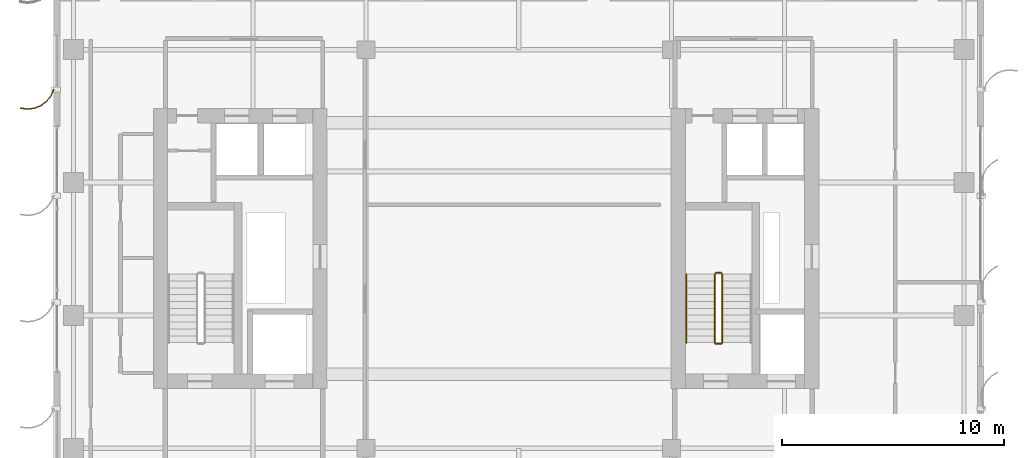
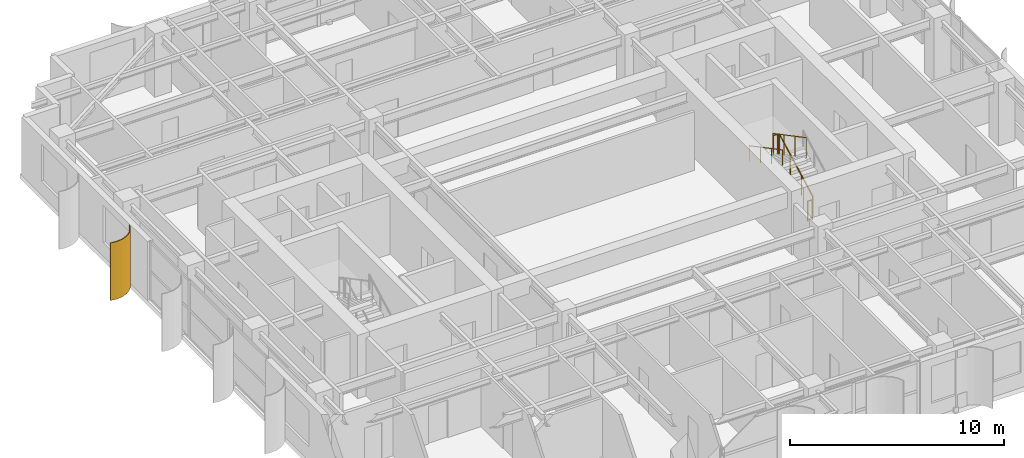
# One storey, part 22 of 23: 5 railings, 1 shading device.
"""IFC4 building model written with IfcOpenShell, lengths in metres."""

from ifc_helpers import new_model, si_unit, direction, frame, origin, origin_2d, place, context, subcontext, project, spatial, polyline, circle, outline, extrude, source, transform, mapped, material, layer, layer_set, type_object, element, save


model = new_model("IFC4")

# Units and contexts
model_context = context("Model", 3, precision=1e-05, world=origin(), true_north=direction((0.0, 1.0)))
body_context = subcontext(model_context, "Body", "Model", "MODEL_VIEW")
ifc_project = project(units=[si_unit("LENGTHUNIT", "METRE"), si_unit("AREAUNIT", "SQUARE_METRE"), si_unit("VOLUMEUNIT", "CUBIC_METRE"), si_unit("PLANEANGLEUNIT", "RADIAN"), si_unit("MASSUNIT", "GRAM", prefix="KILO")], contexts=[model_context])

# Site, building, storey
site_placement = place(None, origin())
site = spatial("IfcSite", under=ifc_project, at=site_placement, CompositionType="ELEMENT")
building_placement = place(site_placement, origin())
building = spatial("IfcBuilding", under=site, at=building_placement, Name="Khoralis Quay Care Tower", CompositionType="ELEMENT")
storey_placement = place(building_placement, frame((0.0, 0.0, 173.699951171875)))
storey = spatial("IfcBuildingStorey", under=building, at=storey_placement, Name="L45", CompositionType="ELEMENT", Elevation=173.699951171875)

# Railings
ifc_material_1 = material(Name="Brushed stainless steel", Category="steel")
railing_type_1 = type_object("IfcRailingType", Name="RL-GUARD-1150", PredefinedType="GUARDRAIL", material=ifc_material_1)
railing_1_placement = place(storey_placement, frame((33.18994140625, 16.77001953125, 0.16357421875)))
element("IfcRailing", 1, at=railing_1_placement, inside=storey, type_object=railing_type_1, Name="L45 ST-T2 stair guard 1", PredefinedType="GUARDRAIL", context=body_context, shape_type="SweptSolid", body=[
    extrude(circle(Radius=0.02392578125, at=origin_2d()), frame((0.0, 0.0, 1.1259765625), z_axis=(0.0, 0.884348015382, 0.466828220752), x_axis=(-1.0, 0.0, 0.0)), (0.0, 0.0, 1.0), 3.505615234375),
    extrude(circle(Radius=0.02099609375, at=origin_2d()), origin(), (0.0, 0.0, 1.0), 1.101806640625),
    extrude(circle(Radius=0.02099609375, at=origin_2d()), frame((0.0, 1.033447265625, 0.54541015625)), (0.0, 0.0, 1.0), 1.101806640625),
    extrude(circle(Radius=0.02099609375, at=origin_2d()), frame((0.0, 2.066650390625, 1.091064453125)), (0.0, 0.0, 1.0), 1.101806640625),
    extrude(circle(Radius=0.02099609375, at=origin_2d()), frame((0.0, 3.10009765625, 1.636474609375)), (0.0, 0.0, 1.0), 1.101806640625),
])
railing_2_placement = place(storey_placement, frame((33.139892578125, 19.919921875, 1.800048828125)))
element("IfcRailing", 2, at=railing_2_placement, inside=storey, type_object=railing_type_1, Name="L45 ST-T2 stair guard 2", PredefinedType="GUARDRAIL", context=body_context, shape_type="SweptSolid", body=[
    extrude(circle(Radius=0.02392578125, at=origin_2d()), frame((0.0, 0.0, 1.1259765625), z_axis=(-1.0, 0.0, 0.0), x_axis=(0.0, -1.0, 0.0)), (0.0, 0.0, 1.0), 0.239990234375),
    extrude(circle(Radius=0.02099609375, at=origin_2d()), origin(), (0.0, 0.0, 1.0), 1.101806640625),
    extrude(circle(Radius=0.02099609375, at=origin_2d()), frame((-0.239990234375, 0.0, 0.0)), (0.0, 0.0, 1.0), 1.101806640625),
])
railing_3_placement = place(storey_placement, frame((32.85009765625, 19.8701171875, 1.963623046875)))
element("IfcRailing", 3, at=railing_3_placement, inside=storey, type_object=railing_type_1, Name="L45 ST-T2 stair guard 3", PredefinedType="GUARDRAIL", context=body_context, shape_type="SweptSolid", body=[
    extrude(circle(Radius=0.02392578125, at=origin_2d()), frame((0.0, 0.0, 1.1259765625), z_axis=(0.0, -0.884348015382, 0.466828220752), x_axis=(1.0, 0.0, 0.0)), (0.0, 0.0, 1.0), 3.505615234375),
    extrude(circle(Radius=0.02099609375, at=origin_2d()), origin(), (0.0, 0.0, 1.0), 1.101806640625),
    extrude(circle(Radius=0.02099609375, at=origin_2d()), frame((0.0, -1.033447265625, 0.54541015625)), (0.0, 0.0, 1.0), 1.101806640625),
    extrude(circle(Radius=0.02099609375, at=origin_2d()), frame((0.0, -2.066650390625, 1.091064453125)), (0.0, 0.0, 1.0), 1.101806640625),
    extrude(circle(Radius=0.02099609375, at=origin_2d()), frame((0.0, -3.10009765625, 1.636474609375)), (0.0, 0.0, 1.0), 1.101806640625),
])
railing_4_placement = place(storey_placement, frame((33.139892578125, 16.719970703125, 0.0)))
element("IfcRailing", 4, at=railing_4_placement, inside=storey, type_object=railing_type_1, Name="L45 ST-T2 stair guard 4", PredefinedType="GUARDRAIL", context=body_context, shape_type="SweptSolid", body=[
    extrude(circle(Radius=0.02392578125, at=origin_2d()), frame((0.0, 0.0, 1.1259765625), z_axis=(-1.0, 0.0, 0.0), x_axis=(0.0, -1.0, 0.0)), (0.0, 0.0, 1.0), 0.239990234375),
    extrude(circle(Radius=0.02099609375, at=origin_2d()), origin(), (0.0, 0.0, 1.0), 1.101806640625),
    extrude(circle(Radius=0.02099609375, at=origin_2d()), frame((-0.239990234375, 0.0, 0.0)), (0.0, 0.0, 1.0), 1.101806640625),
])
railing_type_2 = type_object("IfcRailingType", Name="RL-HAND-900", PredefinedType="HANDRAIL", material=ifc_material_1)
railing_5_placement = place(storey_placement, frame((31.570068359375, 19.8701171875, 1.963623046875)))
element("IfcRailing", 5, at=railing_5_placement, inside=storey, type_object=railing_type_2, Name="L45 ST-T2 stair handrail 2", PredefinedType="HANDRAIL", context=body_context, shape_type="SweptSolid", body=[
    extrude(circle(Radius=0.02392578125, at=origin_2d()), frame((0.0, 0.0, 0.8759765625), z_axis=(0.0, -0.884348015382, 0.466828220752), x_axis=(1.0, 0.0, 0.0)), (0.0, 0.0, 1.0), 3.505615234375),
    extrude(circle(Radius=0.02099609375, at=origin_2d()), origin(), (0.0, 0.0, 1.0), 0.851806640625),
    extrude(circle(Radius=0.02099609375, at=origin_2d()), frame((0.0, -1.033447265625, 0.54541015625)), (0.0, 0.0, 1.0), 0.851806640625),
    extrude(circle(Radius=0.02099609375, at=origin_2d()), frame((0.0, -2.066650390625, 1.091064453125)), (0.0, 0.0, 1.0), 0.851806640625),
    extrude(circle(Radius=0.02099609375, at=origin_2d()), frame((0.0, -3.10009765625, 1.636474609375)), (0.0, 0.0, 1.0), 0.851806640625),
])

# Shading device
ifc_material_2 = material(Name="Brushed pale anodised aluminium", Category="aluminium")
ifc_layer = layer(ifc_material_2, 0.044921875)
ifc_layer_set = layer_set([ifc_layer], Name="Brushed pale anodised aluminium")
shading_device_type = type_object("IfcShadingDeviceType", Name="SHD-FIN-1250", PredefinedType="USERDEFINED", material=ifc_layer_set)
shared_shape = source(origin(), body_context, "Body", "SweptSolid", [
    extrude(outline(polyline([(0.0, 0.0), (0.130126953125, 0.29931640625), (0.333251953125, 0.5546875), (0.595458984375, 0.748779296875), (0.899169921875, 0.868408203125), (1.223388671875, 0.9052734375), (1.546142578125, 0.85693359375), (1.53369140625, 0.813720703125), (1.22265625, 0.8603515625), (0.91015625, 0.82470703125), (0.617431640625, 0.70947265625), (0.364501953125, 0.522216796875), (0.168701171875, 0.276123046875), (0.043212890625, -0.012451171875), (0.0, 0.0)])), origin(), (0.0, 0.0, 1.0), 3.280029296875),
])
shading_device_placement = place(storey_placement, frame((3.030029296875, 28.199951171875, 0.02001953125), z_axis=(0.0, 0.0, 1.0), x_axis=(-1.0, 0.0, 0.0)))
element("IfcShadingDevice", 6, at=shading_device_placement, inside=storey, type_object=shading_device_type, Name="L45 Curved Solar Fin P1E15-02", ObjectType="FIN", PredefinedType="USERDEFINED", context=body_context, shape_type="MappedRepresentation", body=[
    mapped(shared_shape, transform((0.0, 0.0, 0.0), scale=1.0)),
])

save(model, "model.ifc")
